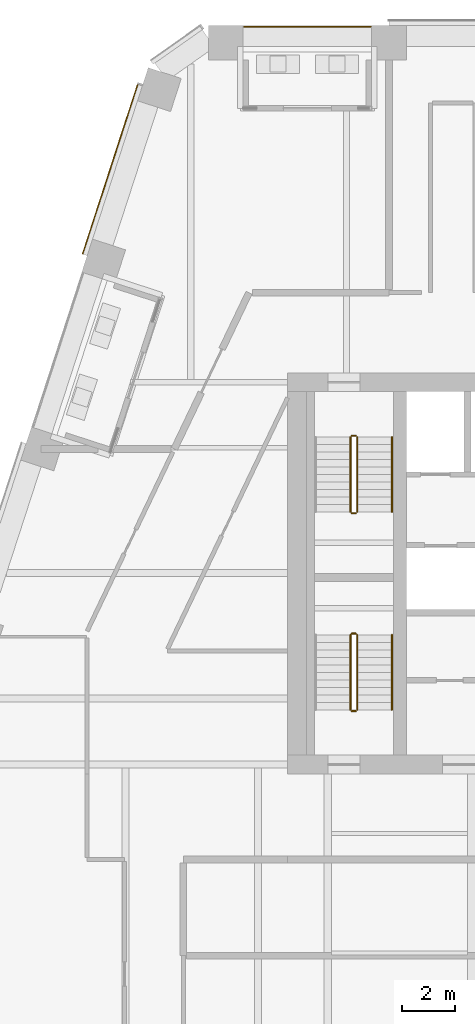
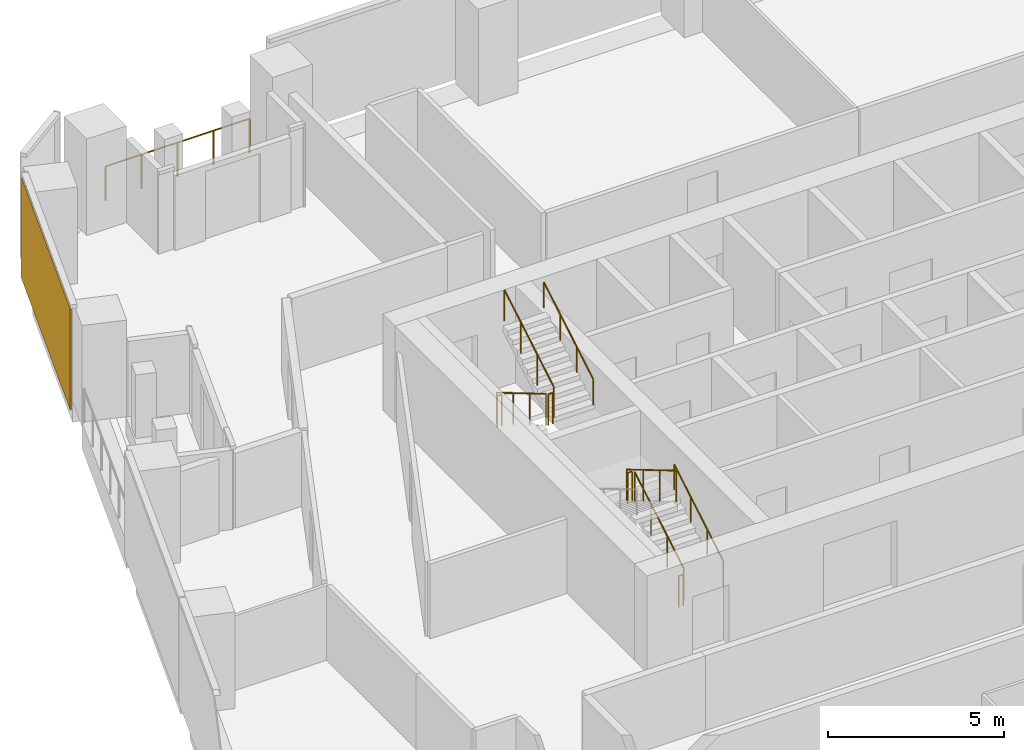
# One storey, part 24 of 26: 11 railings, 1 covering, 1 element without a shape of its own.
"""IFC4 building model written with IfcOpenShell, lengths in metres."""

from ifc_helpers import new_model, si_unit, direction, frame, origin, origin_2d, place, context, subcontext, project, spatial, rectangle, circle, extrude, material, layer, layer_set, type_object, element, aggregate, save


model = new_model("IFC4")

# Units and contexts
model_context = context("Model", 3, precision=1e-05, world=origin(), true_north=direction((0.0, 1.0)))
body_context = subcontext(model_context, "Body", "Model", "MODEL_VIEW")
ifc_project = project(units=[si_unit("LENGTHUNIT", "METRE"), si_unit("AREAUNIT", "SQUARE_METRE"), si_unit("VOLUMEUNIT", "CUBIC_METRE"), si_unit("PLANEANGLEUNIT", "RADIAN"), si_unit("MASSUNIT", "GRAM", prefix="KILO")], contexts=[model_context])

# Site, building, storey
site_placement = place(None, origin())
site = spatial("IfcSite", under=ifc_project, at=site_placement, CompositionType="ELEMENT")
building_placement = place(site_placement, origin())
building = spatial("IfcBuilding", under=site, at=building_placement, Name="Isthmus Gate Tower", CompositionType="ELEMENT")
storey_placement = place(building_placement, frame((0.0, 0.0, 203.64990234375)))
storey = spatial("IfcBuildingStorey", under=building, at=storey_placement, Name="L51", CompositionType="ELEMENT", Elevation=203.64990234375)

# Curtain wall, covering
ifc_material_1 = material(Name="Aluminium, pale champagne anodised", Category="aluminium")
ifc_layer_1 = layer(ifc_material_1, 0.199951171875)
ifc_layer_set_1 = layer_set([ifc_layer_1], Name="CW-1 UNITISED CURTAIN WALL 200 DEEP")
curtain_wall_type = type_object("IfcCurtainWallType", Name="CW-1 UNITISED CURTAIN WALL 200 DEEP", PredefinedType="NOTDEFINED", material=ifc_layer_set_1)
curtain_wall_placement = place(storey_placement, origin())
curtain_wall = element("IfcCurtainWall", 1, at=curtain_wall_placement, inside=storey, type_object=curtain_wall_type, Name="CW-1 NW L51", PredefinedType="NOTDEFINED")
ifc_material_2 = material(Name="Aluminium composite panel, pale champagne anodised", Category="aluminium")
ifc_layer_2 = layer(ifc_material_2, 0.035888671875)
ifc_layer_set_2 = layer_set([ifc_layer_2], Name="CW-1 PALE METAL PANEL 36")
covering_type = type_object("IfcCoveringType", Name="CW-1 PALE METAL PANEL 36", PredefinedType="CLADDING", material=ifc_layer_set_2)
covering_placement = place(storey_placement, frame((-21.6396484375, 22.619140625, 0.0), z_axis=(0.0, 0.0, 1.0), x_axis=(-0.309016994375, -0.951056516295, 0.0)))
covering = element("IfcCovering", 2, at=covering_placement, type_object=covering_type, Name="CW-1 pale metal panel", PredefinedType="CLADDING", context=body_context, shape_type="SweptSolid", body=[
    extrude(rectangle(XDim=6.680908203125, YDim=0.035888671875, at=origin_2d()), origin(), (0.0, 0.0, 1.0), 3.510009765625),
])
aggregate(curtain_wall, [covering])

# Railings
ifc_material_3 = material(Name="Toughened laminated glass with stainless steel posts", Category="steel")
railing_type_1 = type_object("IfcRailingType", Name="GUARD 1200 FRAMELESS GLASS", PredefinedType="GUARDRAIL", material=ifc_material_3)
railing_1_placement = place(storey_placement, frame((-11.90185546875, 27.949951171875, 0.0)))
element("IfcRailing", 3, at=railing_1_placement, inside=storey, type_object=railing_type_1, Name="LOGGIA GUARD", PredefinedType="GUARDRAIL", context=body_context, shape_type="SweptSolid", body=[
    extrude(circle(Radius=0.02490234375, at=origin_2d()), frame((0.0, 0.0, 1.1748046875), z_axis=(-1.0, 0.0, 0.0), x_axis=(0.0, -1.0, 0.0)), (0.0, 0.0, 1.0), 4.72021484375),
    extrude(circle(Radius=0.02490234375, at=origin_2d()), origin(), (0.0, 0.0, 1.0), 1.14990234375),
    extrude(circle(Radius=0.02490234375, at=origin_2d()), frame((-1.18017578125, 0.0, 0.0)), (0.0, 0.0, 1.0), 1.14990234375),
    extrude(circle(Radius=0.02490234375, at=origin_2d()), frame((-2.360107421875, 0.0, 0.0)), (0.0, 0.0, 1.0), 1.14990234375),
    extrude(circle(Radius=0.02490234375, at=origin_2d()), frame((-3.5400390625, 0.0, 0.0)), (0.0, 0.0, 1.0), 1.14990234375),
    extrude(circle(Radius=0.02490234375, at=origin_2d()), frame((-4.72021484375, 0.0, 0.0)), (0.0, 0.0, 1.0), 1.14990234375),
])
ifc_material_4 = material(Name="Stainless steel balustrade", Category="steel")
railing_type_2 = type_object("IfcRailingType", Name="STAIR GUARD 1100", PredefinedType="GUARDRAIL", material=ifc_material_4)
railing_2_placement = place(storey_placement, frame((-12.64990234375, 12.60009765625, 0.166015625)))
element("IfcRailing", 4, at=railing_2_placement, inside=storey, type_object=railing_type_2, Name="L51 ST1 stair guard 1", PredefinedType="GUARDRAIL", context=body_context, shape_type="SweptSolid", body=[
    extrude(circle(Radius=0.02392578125, at=origin_2d()), frame((0.0, 0.0, 1.076171875), z_axis=(0.0, -0.860306154799, 0.50977771628), x_axis=(1.0, 0.0, 0.0)), (0.0, 0.0, 1.0), 3.254638671875),
    extrude(circle(Radius=0.02099609375, at=origin_2d()), origin(), (0.0, 0.0, 1.0), 1.052001953125),
    extrude(circle(Radius=0.02099609375, at=origin_2d()), frame((0.0, -0.933349609375, 0.552978515625)), (0.0, 0.0, 1.0), 1.052001953125),
    extrude(circle(Radius=0.02099609375, at=origin_2d()), frame((0.0, -1.86669921875, 1.106201171875)), (0.0, 0.0, 1.0), 1.052001953125),
    extrude(circle(Radius=0.02099609375, at=origin_2d()), frame((0.0, -2.800048828125, 1.6591796875)), (0.0, 0.0, 1.0), 1.052001953125),
])
railing_3_placement = place(storey_placement, frame((-12.60009765625, 9.75, 1.8251953125)))
element("IfcRailing", 5, at=railing_3_placement, inside=storey, type_object=railing_type_2, Name="L51 ST1 stair guard 2", PredefinedType="GUARDRAIL", context=body_context, shape_type="SweptSolid", body=[
    extrude(circle(Radius=0.02392578125, at=origin_2d()), frame((0.0, 0.0, 1.076171875), z_axis=(1.0, 0.0, 0.0), x_axis=(0.0, 1.0, 0.0)), (0.0, 0.0, 1.0), 0.150146484375),
    extrude(circle(Radius=0.02099609375, at=origin_2d()), origin(), (0.0, 0.0, 1.0), 1.052001953125),
    extrude(circle(Radius=0.02099609375, at=origin_2d()), frame((0.150146484375, 0.0, 0.0)), (0.0, 0.0, 1.0), 1.052001953125),
])
railing_4_placement = place(storey_placement, frame((-12.39990234375, 9.800048828125, 1.990966796875)))
element("IfcRailing", 6, at=railing_4_placement, inside=storey, type_object=railing_type_2, Name="L51 ST1 stair guard 3", PredefinedType="GUARDRAIL", context=body_context, shape_type="SweptSolid", body=[
    extrude(circle(Radius=0.02392578125, at=origin_2d()), frame((0.0, 0.0, 1.076171875), z_axis=(0.0, 0.860306154799, 0.50977771628), x_axis=(-1.0, 0.0, 0.0)), (0.0, 0.0, 1.0), 3.254638671875),
    extrude(circle(Radius=0.02099609375, at=origin_2d()), origin(), (0.0, 0.0, 1.0), 1.052001953125),
    extrude(circle(Radius=0.02099609375, at=origin_2d()), frame((0.0, 0.933349609375, 0.552978515625)), (0.0, 0.0, 1.0), 1.052001953125),
    extrude(circle(Radius=0.02099609375, at=origin_2d()), frame((0.0, 1.86669921875, 1.106201171875)), (0.0, 0.0, 1.0), 1.052001953125),
    extrude(circle(Radius=0.02099609375, at=origin_2d()), frame((0.0, 2.800048828125, 1.6591796875)), (0.0, 0.0, 1.0), 1.052001953125),
])
railing_5_placement = place(storey_placement, frame((-12.60009765625, 12.64990234375, 0.0)))
element("IfcRailing", 7, at=railing_5_placement, inside=storey, type_object=railing_type_2, Name="L51 ST1 stair guard 4", PredefinedType="GUARDRAIL", context=body_context, shape_type="SweptSolid", body=[
    extrude(circle(Radius=0.02392578125, at=origin_2d()), frame((0.0, 0.0, 1.076171875), z_axis=(1.0, 0.0, 0.0), x_axis=(0.0, 1.0, 0.0)), (0.0, 0.0, 1.0), 0.150146484375),
    extrude(circle(Radius=0.02099609375, at=origin_2d()), origin(), (0.0, 0.0, 1.0), 1.052001953125),
    extrude(circle(Radius=0.02099609375, at=origin_2d()), frame((0.150146484375, 0.0, 0.0)), (0.0, 0.0, 1.0), 1.052001953125),
])
railing_6_placement = place(storey_placement, frame((-12.39990234375, 2.39990234375, 0.166015625)))
element("IfcRailing", 8, at=railing_6_placement, inside=storey, type_object=railing_type_2, Name="L51 ST7 stair guard 1", PredefinedType="GUARDRAIL", context=body_context, shape_type="SweptSolid", body=[
    extrude(circle(Radius=0.02392578125, at=origin_2d()), frame((0.0, 0.0, 1.076171875), z_axis=(0.0, 0.860306154799, 0.50977771628), x_axis=(-1.0, 0.0, 0.0)), (0.0, 0.0, 1.0), 3.254638671875),
    extrude(circle(Radius=0.02099609375, at=origin_2d()), origin(), (0.0, 0.0, 1.0), 1.052001953125),
    extrude(circle(Radius=0.02099609375, at=origin_2d()), frame((0.0, 0.933349609375, 0.552978515625)), (0.0, 0.0, 1.0), 1.052001953125),
    extrude(circle(Radius=0.02099609375, at=origin_2d()), frame((0.0, 1.86669921875, 1.106201171875)), (0.0, 0.0, 1.0), 1.052001953125),
    extrude(circle(Radius=0.02099609375, at=origin_2d()), frame((0.0, 2.800048828125, 1.6591796875)), (0.0, 0.0, 1.0), 1.052001953125),
])
railing_7_placement = place(storey_placement, frame((-12.449951171875, 5.25, 1.8251953125)))
element("IfcRailing", 9, at=railing_7_placement, inside=storey, type_object=railing_type_2, Name="L51 ST7 stair guard 2", PredefinedType="GUARDRAIL", context=body_context, shape_type="SweptSolid", body=[
    extrude(circle(Radius=0.02392578125, at=origin_2d()), frame((0.0, 0.0, 1.076171875), z_axis=(-1.0, 0.0, 0.0), x_axis=(0.0, -1.0, 0.0)), (0.0, 0.0, 1.0), 0.150146484375),
    extrude(circle(Radius=0.02099609375, at=origin_2d()), origin(), (0.0, 0.0, 1.0), 1.052001953125),
    extrude(circle(Radius=0.02099609375, at=origin_2d()), frame((-0.150146484375, 0.0, 0.0)), (0.0, 0.0, 1.0), 1.052001953125),
])
railing_8_placement = place(storey_placement, frame((-12.64990234375, 5.199951171875, 1.990966796875)))
element("IfcRailing", 10, at=railing_8_placement, inside=storey, type_object=railing_type_2, Name="L51 ST7 stair guard 3", PredefinedType="GUARDRAIL", context=body_context, shape_type="SweptSolid", body=[
    extrude(circle(Radius=0.02392578125, at=origin_2d()), frame((0.0, 0.0, 1.076171875), z_axis=(0.0, -0.860306154799, 0.50977771628), x_axis=(1.0, 0.0, 0.0)), (0.0, 0.0, 1.0), 3.254638671875),
    extrude(circle(Radius=0.02099609375, at=origin_2d()), origin(), (0.0, 0.0, 1.0), 1.052001953125),
    extrude(circle(Radius=0.02099609375, at=origin_2d()), frame((0.0, -0.933349609375, 0.552978515625)), (0.0, 0.0, 1.0), 1.052001953125),
    extrude(circle(Radius=0.02099609375, at=origin_2d()), frame((0.0, -1.86669921875, 1.106201171875)), (0.0, 0.0, 1.0), 1.052001953125),
    extrude(circle(Radius=0.02099609375, at=origin_2d()), frame((0.0, -2.800048828125, 1.6591796875)), (0.0, 0.0, 1.0), 1.052001953125),
])
railing_9_placement = place(storey_placement, frame((-12.449951171875, 2.35009765625, 0.0)))
element("IfcRailing", 11, at=railing_9_placement, inside=storey, type_object=railing_type_2, Name="L51 ST7 stair guard 4", PredefinedType="GUARDRAIL", context=body_context, shape_type="SweptSolid", body=[
    extrude(circle(Radius=0.02392578125, at=origin_2d()), frame((0.0, 0.0, 1.076171875), z_axis=(-1.0, 0.0, 0.0), x_axis=(0.0, -1.0, 0.0)), (0.0, 0.0, 1.0), 0.150146484375),
    extrude(circle(Radius=0.02099609375, at=origin_2d()), origin(), (0.0, 0.0, 1.0), 1.052001953125),
    extrude(circle(Radius=0.02099609375, at=origin_2d()), frame((-0.150146484375, 0.0, 0.0)), (0.0, 0.0, 1.0), 1.052001953125),
])
ifc_material_5 = material(Name="Stainless steel handrail", Category="steel")
railing_type_3 = type_object("IfcRailingType", Name="STAIR HANDRAIL 900", PredefinedType="HANDRAIL", material=ifc_material_5)
for number, where, name in (
    (12, (-11.10009765625, 9.800048828125, 1.990966796875), "L51 ST1 stair handrail 2"),
    (13, (-11.10009765625, 2.39990234375, 0.166015625), "L51 ST7 stair handrail 1"),
):
    element("IfcRailing", number, at=place(storey_placement, frame(where)), inside=storey, type_object=railing_type_3, Name=name, PredefinedType="HANDRAIL", context=body_context, shape_type="SweptSolid", body=[
        extrude(circle(Radius=0.02392578125, at=origin_2d()), frame((0.0, 0.0, 0.8759765625), z_axis=(0.0, 0.860306154799, 0.50977771628), x_axis=(-1.0, 0.0, 0.0)), (0.0, 0.0, 1.0), 3.254638671875),
        extrude(circle(Radius=0.02099609375, at=origin_2d()), origin(), (0.0, 0.0, 1.0), 0.851806640625),
        extrude(circle(Radius=0.02099609375, at=origin_2d()), frame((0.0, 0.933349609375, 0.552978515625)), (0.0, 0.0, 1.0), 0.851806640625),
        extrude(circle(Radius=0.02099609375, at=origin_2d()), frame((0.0, 1.86669921875, 1.106201171875)), (0.0, 0.0, 1.0), 0.851806640625),
        extrude(circle(Radius=0.02099609375, at=origin_2d()), frame((0.0, 2.800048828125, 1.6591796875)), (0.0, 0.0, 1.0), 0.851806640625),
    ])

save(model, "model.ifc")
